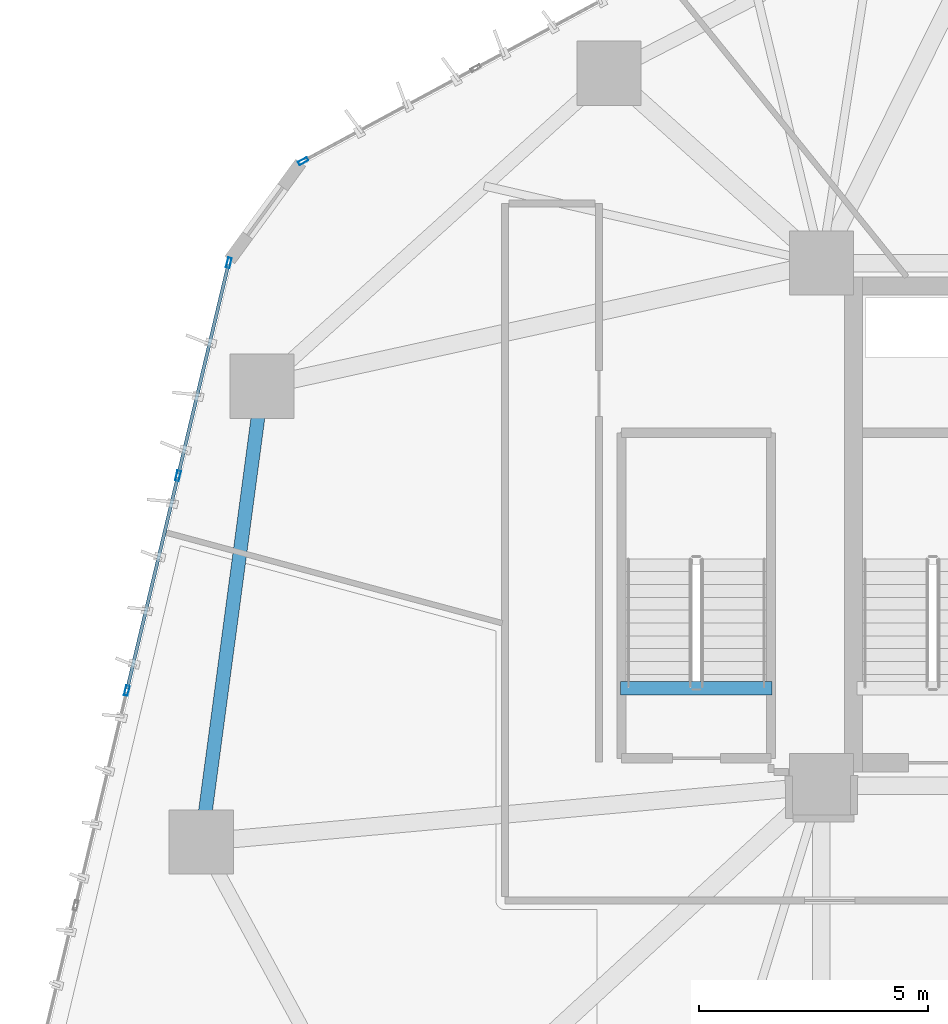
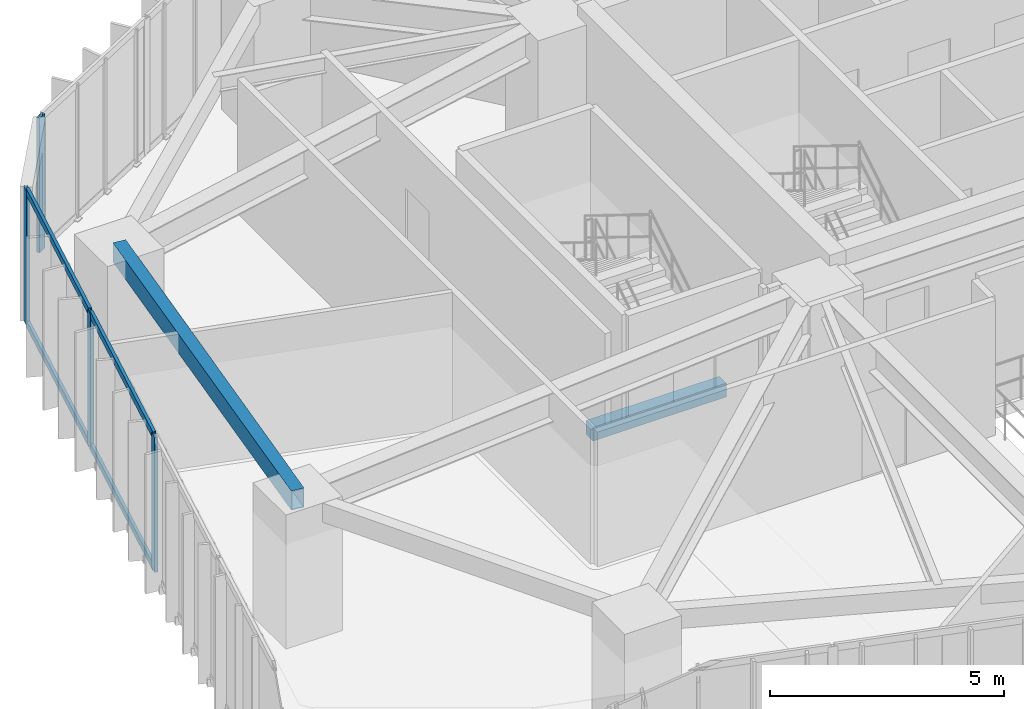
# One storey, part 7 of 24: 8 members, 2 beams, 2 elements without a shape of their own.
"""IFC4 building model written with IfcOpenShell, lengths in metres."""

from ifc_helpers import new_model, si_unit, direction, frame, origin, origin_2d, place, context, subcontext, project, spatial, rectangle, hollow_rectangle, extrude, source, transform, mapped, material, layer, layer_set, material_profile, profile_set, type_object, type_shapes, element, aggregate, save


model = new_model("IFC4")

# Units and contexts
model_context = context("Model", 3, precision=1e-05, world=origin(), true_north=direction((0.0, 1.0)))
body_context = subcontext(model_context, "Body", "Model", "MODEL_VIEW")
ifc_project = project(units=[si_unit("LENGTHUNIT", "METRE"), si_unit("AREAUNIT", "SQUARE_METRE"), si_unit("VOLUMEUNIT", "CUBIC_METRE"), si_unit("PLANEANGLEUNIT", "RADIAN"), si_unit("MASSUNIT", "GRAM", prefix="KILO")], contexts=[model_context])

# Site, building, storey
site_placement = place(None, origin())
site = spatial("IfcSite", under=ifc_project, at=site_placement, CompositionType="ELEMENT")
building_placement = place(site_placement, origin())
building = spatial("IfcBuilding", under=site, at=building_placement, Name="Talar Marvaseh", CompositionType="ELEMENT")
storey_placement = place(building_placement, frame((0.0, 0.0, 43.0)))
storey = spatial("IfcBuildingStorey", under=building, at=storey_placement, Name="L10", CompositionType="ELEMENT", Elevation=43.0)

# Beams
ifc_material_1 = material(Name="Concrete C40/50", Category="concrete")
ifc_material_profile_1 = material_profile(ifc_material_1, rectangle(XDim=0.300048828125, YDim=0.360107421875, at=origin_2d()), Name="RC300x360")
ifc_profile_set_1 = profile_set([ifc_material_profile_1], Name="Concrete C40/50")
beam_type_1 = type_object("IfcBeamType", Name="Concrete Stair Landing Trimmer Beam RC300x360", PredefinedType="SPANDREL", material=ifc_profile_set_1)
beam_1_placement = place(storey_placement, frame((17.6201171875, 27.6298828125, -0.179931640625), z_axis=(-1.0, 0.0, 0.0), x_axis=(0.0, -1.0, 0.0)))
element("IfcBeam", 1, at=beam_1_placement, inside=storey, type_object=beam_type_1, Name="L10 ST-3 Stair Nosing Trimmer Beam", PredefinedType="SPANDREL", context=body_context, shape_type="SweptSolid", body=[
    extrude(rectangle(XDim=0.300048828125, YDim=0.360107421875, at=origin_2d()), origin(), (0.0, 0.0, 1.0), 3.300048828125),
])
ifc_material_2 = material(Name="Steel S355", Category="steel")
ifc_material_profile_2 = material_profile(ifc_material_2, hollow_rectangle(XDim=0.300048828125, YDim=0.5, WallThickness=0.02001953125, at=origin_2d()), Name="RHS500x300x20")
ifc_profile_set_2 = profile_set([ifc_material_profile_2], Name="Steel S355")
beam_type_2 = type_object("IfcBeamType", Name="Zone 1 Perimeter Spandrel Beam RHS500x300x20", PredefinedType="SPANDREL", material=ifc_profile_set_2)
beam_2_placement = place(storey_placement, frame((5.175048828125, 24.27587890625, 3.27001953125), z_axis=(0.132340758564, 0.991204279461, 0.0), x_axis=(-0.991204279461, 0.132340758564, 0.0)))
element("IfcBeam", 2, at=beam_2_placement, inside=storey, type_object=beam_type_2, Name="L10 Zone 1 Perimeter Spandrel Beam RHS500x300x20", PredefinedType="SPANDREL", context=body_context, shape_type="SweptSolid", body=[
    extrude(hollow_rectangle(XDim=0.300048828125, YDim=0.5, WallThickness=0.02001953125, at=origin_2d()), origin(), (0.0, 0.0, 1.0), 10.0263671875),
])

# Curtain wall, members
ifc_material_3 = material(Name="Architectural Aluminium", Category="aluminium")
ifc_layer = layer(ifc_material_3, 0.219970703125)
ifc_layer_set = layer_set([ifc_layer], Name="Architectural Aluminium")
curtain_wall_type = type_object("IfcCurtainWallType", Name="Unitised Low-E Museum Curtain Wall Z1", PredefinedType="NOTDEFINED", material=ifc_layer_set)
curtain_wall_1_placement = place(storey_placement, origin())
curtain_wall_1 = element("IfcCurtainWall", 3, at=curtain_wall_1_placement, inside=storey, type_object=curtain_wall_type, Name="L10 Unitised Low-E Museum Curtain Wall Z1", PredefinedType="NOTDEFINED")
ifc_material_profile_3 = material_profile(ifc_material_3, hollow_rectangle(XDim=0.080078125, YDim=0.219970703125, WallThickness=0.0048828125, at=origin_2d()), Name="RHS220x80x5")
ifc_profile_set_3 = profile_set([ifc_material_profile_3], Name="Architectural Aluminium")
member_type_1 = type_object("IfcMemberType", Name="Unitised Curtain Wall Heavy Mullion RHS220x80x5", PredefinedType="MULLION", material=ifc_profile_set_3)
shared_shape_1 = source(origin(), body_context, "Body", "SweptSolid", [
    extrude(hollow_rectangle(XDim=0.080078125, YDim=0.219970703125, WallThickness=0.0048828125, at=origin_2d()), origin(), (0.0, 0.0, 1.0), 3.52001953125),
])
type_shapes(member_type_1, [shared_shape_1])
member_1_placement = place(storey_placement, frame((3.5517578125, 27.57666015625, 0.0), z_axis=(0.0, 0.0, 1.0), x_axis=(-0.972760696779, 0.231811619213, 0.0)))
member_1 = element("IfcMember", 4, at=member_1_placement, type_object=member_type_1, Name="CW-Z1 mullion 3", PredefinedType="MULLION", context=body_context, shape_type="MappedRepresentation", body=[
    mapped(shared_shape_1, transform((0.0, 0.0, 0.0), x_axis=(1.0, 0.0, 0.0), y_axis=(0.0, 1.0, 0.0), z_axis=(0.0, 0.0, 1.0), scale=1.0)),
])
member_2_placement = place(storey_placement, frame((4.668212890625, 32.26220703125, 0.0), z_axis=(0.0, 0.0, 1.0), x_axis=(-0.972760696779, 0.231811619213, 0.0)))
member_2 = element("IfcMember", 5, at=member_2_placement, type_object=member_type_1, Name="CW-Z1 mullion 4", PredefinedType="MULLION", context=body_context, shape_type="MappedRepresentation", body=[
    mapped(shared_shape_1, transform((0.0, 0.0, 0.0), x_axis=(1.0, 0.0, 0.0), y_axis=(0.0, 1.0, 0.0), z_axis=(0.0, 0.0, 1.0), scale=1.0)),
])
member_3_placement = place(storey_placement, frame((5.775634765625, 36.90869140625, 0.0), z_axis=(0.0, 0.0, 1.0), x_axis=(-0.972760696779, 0.231811619213, 0.0)))
member_3 = element("IfcMember", 6, at=member_3_placement, type_object=member_type_1, Name="CW-Z1 mullion 5", PredefinedType="MULLION", context=body_context, shape_type="MappedRepresentation", body=[
    mapped(shared_shape_1, transform((0.0, 0.0, 0.0), x_axis=(1.0, 0.0, 0.0), y_axis=(0.0, 1.0, 0.0), z_axis=(0.0, 0.0, 1.0), scale=1.0)),
])

# Curtain wall, member
curtain_wall_2_placement = place(storey_placement, origin())
curtain_wall_2 = element("IfcCurtainWall", 7, at=curtain_wall_2_placement, inside=storey, type_object=curtain_wall_type, Name="L10 Unitised Low-E Museum Curtain Wall Z1", PredefinedType="NOTDEFINED")
member_4_placement = place(storey_placement, frame((7.396484375, 39.124267578125, 0.0), z_axis=(0.0, 0.0, 1.0), x_axis=(-0.474363607665, 0.880329011065, 0.0)))
member_4 = element("IfcMember", 8, at=member_4_placement, type_object=member_type_1, Name="CW-Z1 mullion 1", PredefinedType="MULLION", context=body_context, shape_type="MappedRepresentation", body=[
    mapped(shared_shape_1, transform((0.0, 0.0, 0.0), x_axis=(1.0, 0.0, 0.0), y_axis=(0.0, 1.0, 0.0), z_axis=(0.0, 0.0, 1.0), scale=1.0)),
])
aggregate(curtain_wall_2, [member_4])

# Member
ifc_material_profile_4 = material_profile(ifc_material_3, hollow_rectangle(XDim=0.074951171875, YDim=0.179931640625, WallThickness=0.0048828125, at=origin_2d()), Name="RHS180x75x5")
ifc_profile_set_4 = profile_set([ifc_material_profile_4], Name="Architectural Aluminium")
member_type_2 = type_object("IfcMemberType", Name="Unitised Curtain Wall Transom RHS180x75x5", PredefinedType="USERDEFINED", material=ifc_profile_set_4)
shared_shape_2 = source(origin(), body_context, "Body", "SweptSolid", [
    extrude(hollow_rectangle(XDim=0.074951171875, YDim=0.179931640625, WallThickness=0.0048828125, at=origin_2d()), origin(), (0.0, 0.0, 1.0), 4.69677734375),
])
member_5_placement = place(storey_placement, frame((4.677490234375, 32.301025390625, 0.03759765625), z_axis=(0.231831342532, 0.972755996445, 0.0), x_axis=(-0.972755996445, 0.231831342532, 0.0)))
member_5 = element("IfcMember", 9, at=member_5_placement, type_object=member_type_2, Name="CW-Z1 transom 4.1", ObjectType="TRANSOM", PredefinedType="USERDEFINED", context=body_context, shape_type="MappedRepresentation", body=[
    mapped(shared_shape_2, transform((0.0, 0.0, 0.0), x_axis=(1.0, 0.0, 0.0), y_axis=(0.0, 1.0, 0.0), z_axis=(0.0, 0.0, 1.0), scale=1.0)),
])

member_6_placement = place(storey_placement, frame((4.677490234375, 32.301025390625, 3.482421875), z_axis=(0.231831342532, 0.972755996445, 0.0), x_axis=(-0.972755996445, 0.231831342532, 0.0)))
member_6 = element("IfcMember", 10, at=member_6_placement, type_object=member_type_2, Name="CW-Z1 transom 4.2", ObjectType="TRANSOM", PredefinedType="USERDEFINED", context=body_context, shape_type="MappedRepresentation", body=[
    mapped(shared_shape_2, transform((0.0, 0.0, 0.0), x_axis=(1.0, 0.0, 0.0), y_axis=(0.0, 1.0, 0.0), z_axis=(0.0, 0.0, 1.0), scale=1.0)),
])

shared_shape_3 = source(origin(), body_context, "Body", "SweptSolid", [
    extrude(hollow_rectangle(XDim=0.074951171875, YDim=0.179931640625, WallThickness=0.0048828125, at=origin_2d()), origin(), (0.0, 0.0, 1.0), 4.736328125),
])
type_shapes(member_type_2, [shared_shape_2, shared_shape_3])
member_7_placement = place(storey_placement, frame((3.56103515625, 27.61572265625, 0.03759765625), z_axis=(0.231799383501, 0.972763612502, 0.0), x_axis=(-0.972763612502, 0.231799383501, 0.0)))
member_7 = element("IfcMember", 11, at=member_7_placement, type_object=member_type_2, Name="CW-Z1 transom 3.1", ObjectType="TRANSOM", PredefinedType="USERDEFINED", context=body_context, shape_type="MappedRepresentation", body=[
    mapped(shared_shape_3, transform((0.0, 0.0, 0.0), x_axis=(1.0, 0.0, 0.0), y_axis=(0.0, 1.0, 0.0), z_axis=(0.0, 0.0, 1.0), scale=1.0)),
])

member_8_placement = place(storey_placement, frame((3.56103515625, 27.61572265625, 3.482421875), z_axis=(0.231799383501, 0.972763612502, 0.0), x_axis=(-0.972763612502, 0.231799383501, 0.0)))
member_8 = element("IfcMember", 12, at=member_8_placement, type_object=member_type_2, Name="CW-Z1 transom 3.2", ObjectType="TRANSOM", PredefinedType="USERDEFINED", context=body_context, shape_type="MappedRepresentation", body=[
    mapped(shared_shape_3, transform((0.0, 0.0, 0.0), x_axis=(1.0, 0.0, 0.0), y_axis=(0.0, 1.0, 0.0), z_axis=(0.0, 0.0, 1.0), scale=1.0)),
])

aggregate(curtain_wall_1, [member_1, member_2, member_3, member_7, member_8, member_5, member_6])

save(model, "model.ifc")
